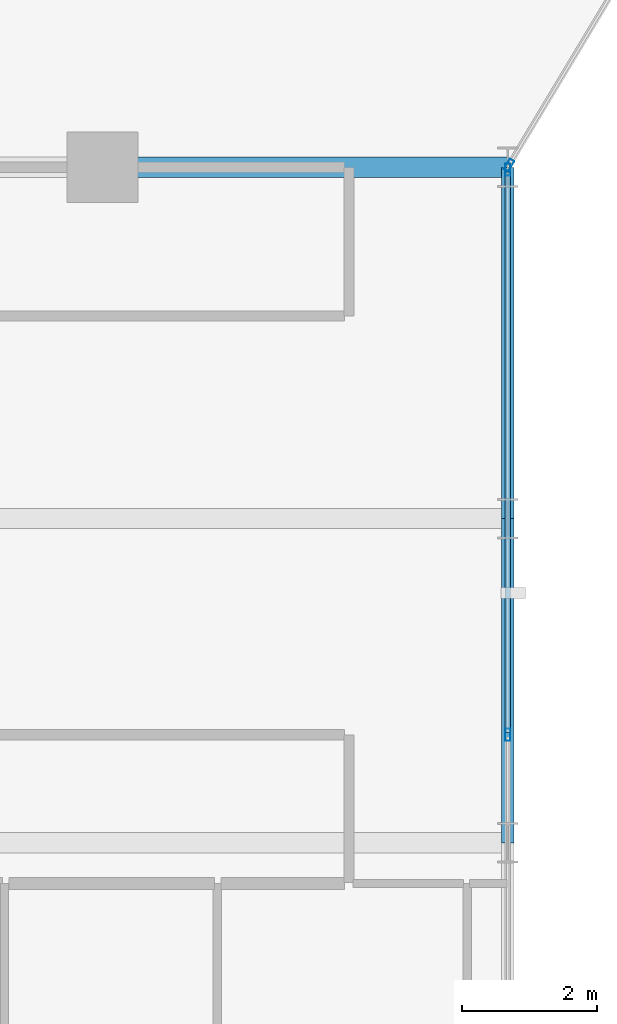
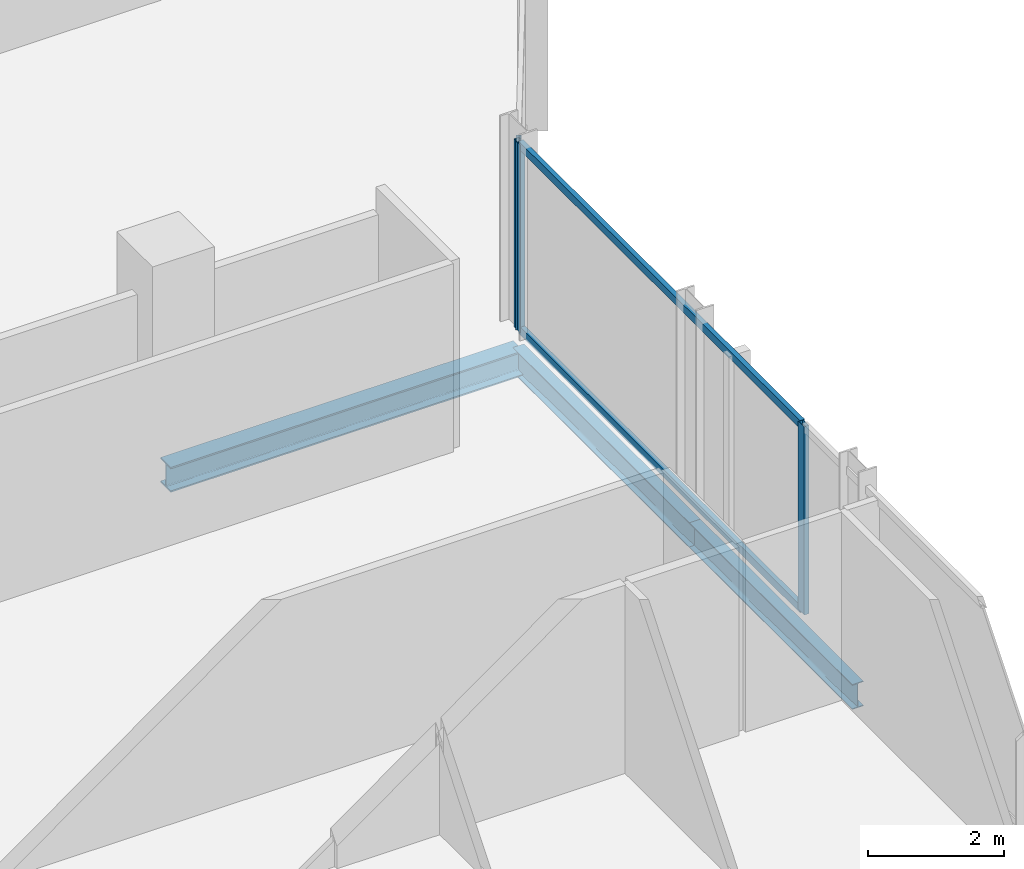
# One storey, part 12 of 29: 5 members, 3 beams, 2 elements without a shape of their own.
"""IFC4 building model written with IfcOpenShell, lengths in metres."""

import ifcopenshell
import ifcopenshell.guid

model = None  # the IFC model being written
_history = None  # IfcOwnerHistory: only IFC2X3 demands one
_inside = {}  # id of a spatial element -> (the spatial element, [elements in it])
_under = {}  # id of a project, library or spatial element -> (it, [spatial elements below it])
_declared = {}  # id of a project -> (the project, [libraries it declares])
_typed = {}  # id of a type object -> (the type object, [elements of that type])
_made_of = {}  # id of a material, layer set ... -> (it, [elements and type objects made of it])


def new_model(schema):
    """Start an empty IFC model of exactly this schema.

    Asked for "IFC4X3", IfcOpenShell would pick the latest addendum, in which some entities
    have other attributes; the version numbers below select the first issue.
    IFC2X3 requires an IfcOwnerHistory on every rooted entity: one is made here for all.
    """
    global model, _history
    if schema == "IFC4X3":
        model = ifcopenshell.file(schema_version=(4, 3, 0, 0))
    else:
        model = ifcopenshell.file(schema=schema)
    _inside.clear()
    _under.clear()
    _declared.clear()
    _typed.clear()
    _made_of.clear()
    _history = None
    if model.schema == "IFC2X3":
        org = make("IfcOrganization", Name="unknown")
        user = make(
            "IfcPersonAndOrganization",
            ThePerson=make("IfcPerson", FamilyName="unknown"),
            TheOrganization=org,
        )
        app = make(
            "IfcApplication",
            ApplicationDeveloper=org,
            Version="unknown",
            ApplicationFullName="unknown",
            ApplicationIdentifier="unknown",
        )
        _history = make(
            "IfcOwnerHistory",
            OwningUser=user,
            OwningApplication=app,
            ChangeAction="ADDED",
            CreationDate=0,
        )
    return model


def make(cls, **values):
    """One entity of the class cls with the attributes given. An attribute that is None is left unset."""
    return model.create_entity(
        cls, **{name: value for name, value in values.items() if value is not None}
    )


def rooted(cls, **values):
    """An entity with a GlobalId (a new one), such as an element, a storey or a relation."""
    return make(cls, GlobalId=ifcopenshell.guid.new(), OwnerHistory=_history, **values)


def si_unit(unit_type, name, prefix=None):
    """IfcSIUnit, for example si_unit("LENGTHUNIT", "METRE", prefix="MILLI")."""
    return make("IfcSIUnit", UnitType=unit_type, Prefix=prefix, Name=name)


def assignment(units):
    """IfcUnitAssignment: the units of a project."""
    return None if units is None else make("IfcUnitAssignment", Units=units)


def point(xyz):
    """IfcCartesianPoint."""
    return None if xyz is None else make("IfcCartesianPoint", Coordinates=xyz)


def direction(xyz):
    """IfcDirection."""
    return None if xyz is None else make("IfcDirection", DirectionRatios=xyz)


def frame(location, z_axis=None, x_axis=None):
    """IfcAxis2Placement3D, a coordinate frame: its origin and axes. An axis left out is left unset."""
    return make(
        "IfcAxis2Placement3D",
        Location=point(location),
        Axis=direction(z_axis),
        RefDirection=direction(x_axis),
    )


def frame_2d(location, x_axis=None):
    """IfcAxis2Placement2D, a coordinate frame in the plane: its origin and x axis."""
    return make(
        "IfcAxis2Placement2D", Location=point(location), RefDirection=direction(x_axis)
    )


def origin():
    """The frame at (0, 0, 0) with its axes left unset."""
    return frame((0.0, 0.0, 0.0))


def origin_2d():
    """The frame at (0, 0) in the plane with its x axis left unset."""
    return frame_2d((0.0, 0.0))


def place(relative_to, where):
    """IfcLocalPlacement: puts the frame where relative to a parent placement (None: the world)."""
    return make(
        "IfcLocalPlacement", PlacementRelTo=relative_to, RelativePlacement=where
    )


def context(
    kind, dimensions, precision=None, world=None, true_north=None, identifier=None
):
    """IfcGeometricRepresentationContext, for example the 3D "Model" context."""
    return make(
        "IfcGeometricRepresentationContext",
        ContextIdentifier=identifier,
        ContextType=kind,
        CoordinateSpaceDimension=dimensions,
        Precision=precision,
        WorldCoordinateSystem=world,
        TrueNorth=true_north,
    )


def subcontext(parent, identifier, kind, view, scale=None):
    """IfcGeometricRepresentationSubContext, for example "Body" below "Model"."""
    return make(
        "IfcGeometricRepresentationSubContext",
        ContextIdentifier=identifier,
        ContextType=kind,
        ParentContext=parent,
        TargetScale=scale,
        TargetView=view,
    )


def project(units=None, contexts=None):
    """IfcProject with its units and contexts."""
    return rooted(
        "IfcProject",
        Name="project",
        RepresentationContexts=contexts,
        UnitsInContext=assignment(units),
    )


def spatial(cls, under=None, at=None, **own):
    """A site, building, storey or space (cls), placed at a placement, below another one or the project."""
    s = rooted(cls, ObjectPlacement=at, **own)
    if under is not None:
        _under.setdefault(under.id(), (under, []))[1].append(s)
    return s


def profile(cls, at=None, kind="AREA", **sizes):
    """A parametric profile (cls). Its sizes go by their IFC names, for example OverallWidth=200.0."""
    return make(cls, ProfileType=kind, Position=at, **sizes)


def hollow_rectangle(**sizes):
    """IfcRectangleHollowProfileDef."""
    return profile("IfcRectangleHollowProfileDef", **sizes)


def i_section(**sizes):
    """IfcIShapeProfileDef."""
    return profile("IfcIShapeProfileDef", **sizes)


def extrude(swept, where, along, depth):
    """IfcExtrudedAreaSolid: the profile swept, set in the frame where, extruded along a direction by depth."""
    return make(
        "IfcExtrudedAreaSolid",
        SweptArea=swept,
        Position=where,
        ExtrudedDirection=direction(along),
        Depth=depth,
    )


def shape(context_of_items, identifier, shape_type, items):
    """IfcShapeRepresentation: the items that make up one representation, for example the "Body"."""
    return make(
        "IfcShapeRepresentation",
        ContextOfItems=context_of_items,
        RepresentationIdentifier=identifier,
        RepresentationType=shape_type,
        Items=items,
    )


def material(Name=None, Category=None):
    """IfcMaterial."""
    return make("IfcMaterial", Name=Name, Category=Category)


def layer(
    of_material, thickness, ventilated=None, Name=None, Category=None, Priority=None
):
    """IfcMaterialLayer: one layer of a wall or slab, of a material (None: an air gap)."""
    return make(
        "IfcMaterialLayer",
        Material=of_material,
        LayerThickness=thickness,
        IsVentilated=ventilated,
        Name=Name,
        Category=Category,
        Priority=Priority,
    )


def layer_set(layers, Name=None):
    """IfcMaterialLayerSet."""
    return make("IfcMaterialLayerSet", MaterialLayers=layers, LayerSetName=Name)


def material_profile(
    of_material, cross_section, Name=None, Category=None, Priority=None
):
    """IfcMaterialProfile: a cross section and its material."""
    return make(
        "IfcMaterialProfile",
        Name=Name,
        Material=of_material,
        Profile=cross_section,
        Priority=Priority,
        Category=Category,
    )


def profile_set(profiles, Name=None, composite=None):
    """IfcMaterialProfileSet."""
    return make(
        "IfcMaterialProfileSet",
        Name=Name,
        MaterialProfiles=profiles,
        CompositeProfile=composite,
    )


def made_of(thing, what):
    """Note that an element or type object is made of a material, layer set ...; save() writes the relation."""
    if what is not None:
        _made_of.setdefault(what.id(), (what, []))[1].append(thing)
    return thing


def type_object(cls, material=None, **own):
    """A type object (cls), such as IfcWallType, which elements share."""
    return made_of(rooted(cls, **own), material)


def element(
    cls,
    number,
    at=None,
    inside=None,
    cuts=None,
    type_object=None,
    material=None,
    context=None,
    identifier="Body",
    shape_type=None,
    held_by="IfcProductDefinitionShape",
    body=None,
    shapes=None,
    **own,
):
    """One element of the class cls, such as IfcWall. Its Tag is "e" and its number.

    at: its placement. inside: the storey or other place that contains it. cuts: it is an
    opening in that element (IfcRelVoidsElement). A single representation is given by context,
    identifier, shape_type and body (its items); several are given by shapes. held_by: the class
    of the entity that holds the representations. save() writes the other relations.
    """
    e = rooted(cls, Tag="e%d" % number, ObjectPlacement=at, **own)
    if body is not None:
        shapes = [shape(context, identifier, shape_type, body)]
    if shapes is not None:
        e.Representation = make(held_by, Representations=shapes)
    if inside is not None:
        _inside.setdefault(inside.id(), (inside, []))[1].append(e)
    if cuts is not None:
        rooted(
            "IfcRelVoidsElement", RelatingBuildingElement=cuts, RelatedOpeningElement=e
        )
    if type_object is not None:
        _typed.setdefault(type_object.id(), (type_object, []))[1].append(e)
    return made_of(e, material)


def aggregate(whole, parts):
    """IfcRelAggregates: a whole, such as a stair, and the parts it consists of."""
    return rooted("IfcRelAggregates", RelatingObject=whole, RelatedObjects=parts)


def save(model, path):
    """Write the relations noted so far, then the file.

    IfcRelAggregates (storeys below a building ...), IfcRelContainedInSpatialStructure (elements
    in a storey), IfcRelDefinesByType, IfcRelAssociatesMaterial and IfcRelDeclares: one each for
    every whole, place, type object, material and project.
    """
    for whole, parts in _under.values():
        aggregate(whole, parts)
    for where, things in _inside.values():
        rooted(
            "IfcRelContainedInSpatialStructure",
            RelatedElements=things,
            RelatingStructure=where,
        )
    for kind, things in _typed.values():
        rooted("IfcRelDefinesByType", RelatedObjects=things, RelatingType=kind)
    for what, things in _made_of.values():
        rooted("IfcRelAssociatesMaterial", RelatedObjects=things, RelatingMaterial=what)
    for by, libraries in _declared.values():
        rooted("IfcRelDeclares", RelatingContext=by, RelatedDefinitions=libraries)
    model.write(path)


model = new_model("IFC4")

# Units and contexts
model_context = context("Model", 3, precision=1e-05, world=origin(), true_north=direction((0.0, 1.0)))
body_context = subcontext(model_context, "Body", "Model", "MODEL_VIEW")
ifc_project = project(units=[si_unit("LENGTHUNIT", "METRE"), si_unit("AREAUNIT", "SQUARE_METRE"), si_unit("VOLUMEUNIT", "CUBIC_METRE"), si_unit("PLANEANGLEUNIT", "RADIAN"), si_unit("MASSUNIT", "GRAM", prefix="KILO")], contexts=[model_context])

# Site, building, storey
site_placement = place(None, origin())
site = spatial("IfcSite", under=ifc_project, at=site_placement, CompositionType="ELEMENT")
building_placement = place(site_placement, origin())
building = spatial("IfcBuilding", under=site, at=building_placement, Name="Keshet Zoharim Tower", CompositionType="ELEMENT")
storey_placement = place(building_placement, frame((0.0, 0.0, 102.0)))
storey = spatial("IfcBuildingStorey", under=building, at=storey_placement, Name="L24", CompositionType="ELEMENT", Elevation=102.0)

# Beams
ifc_material_1 = material(Name="Steel S355", Category="steel")
ifc_material_profile_1 = material_profile(ifc_material_1, i_section(OverallWidth=0.18994140625, OverallDepth=0.449951171875, WebThickness=0.009521484375, FlangeThickness=0.0146484375, FilletRadius=0.02099609375, at=origin_2d()), Name="IPE450")
ifc_profile_set_1 = profile_set([ifc_material_profile_1], Name="Steel S355")
beam_type_1 = type_object("IfcBeamType", Name="BM-PRI-IP450", PredefinedType="BEAM", material=ifc_profile_set_1)
beam_1_placement = place(storey_placement, frame((57.0, 17.89990234375, -0.5400390625), z_axis=(0.0, 1.0, 0.0), x_axis=(-1.0, 0.0, 0.0)))
element("IfcBeam", 1, at=beam_1_placement, inside=storey, type_object=beam_type_1, Name="L24 Primary Girder Y-015", PredefinedType="BEAM", context=body_context, shape_type="SweptSolid", body=[
    extrude(i_section(OverallWidth=0.18994140625, OverallDepth=0.449951171875, WebThickness=0.009521484375, FlangeThickness=0.0146484375, FilletRadius=0.02099609375, at=origin_2d()), origin(), (0.0, 0.0, 1.0), 4.800048828125),
])
beam_2_placement = place(storey_placement, frame((57.0, 22.699951171875, -0.5400390625), z_axis=(0.0, 1.0, 0.0), x_axis=(-1.0, 0.0, 0.0)))
element("IfcBeam", 2, at=beam_2_placement, inside=storey, type_object=beam_type_1, Name="L24 Primary Girder Y-016", PredefinedType="BEAM", context=body_context, shape_type="SweptSolid", body=[
    extrude(i_section(OverallWidth=0.18994140625, OverallDepth=0.449951171875, WebThickness=0.009521484375, FlangeThickness=0.0146484375, FilletRadius=0.02099609375, at=origin_2d()), origin(), (0.0, 0.0, 1.0), 5.199951171875),
])
ifc_material_profile_2 = material_profile(ifc_material_1, i_section(OverallWidth=0.300048828125, OverallDepth=0.449951171875, WebThickness=0.013916015625, FlangeThickness=0.02587890625, FilletRadius=0.027099609375, at=origin_2d()), Name="HEB450")
ifc_profile_set_2 = profile_set([ifc_material_profile_2], Name="Steel S355")
beam_type_2 = type_object("IfcBeamType", Name="BM-WEB-HB450", PredefinedType="BEAM", material=ifc_profile_set_2)
beam_3_placement = place(storey_placement, frame((51.0, 27.89990234375, -0.5400390625), z_axis=(1.0, 0.0, 0.0), x_axis=(0.0, 1.0, 0.0)))
element("IfcBeam", 3, at=beam_3_placement, inside=storey, type_object=beam_type_2, Name="L24 Primary Girder X-017", PredefinedType="BEAM", context=body_context, shape_type="SweptSolid", body=[
    extrude(i_section(OverallWidth=0.300048828125, OverallDepth=0.449951171875, WebThickness=0.013916015625, FlangeThickness=0.02587890625, FilletRadius=0.027099609375, at=origin_2d()), origin(), (0.0, 0.0, 1.0), 6.0),
])

# Curtain wall, member
ifc_material_2 = material(Name="Aluminium 6063-T6", Category="aluminium")
ifc_layer = layer(ifc_material_2, 0.159912109375)
ifc_layer_set = layer_set([ifc_layer], Name="Aluminium 6063-T6")
curtain_wall_type = type_object("IfcCurtainWallType", Name="CW-SYS-03", PredefinedType="NOTDEFINED", material=ifc_layer_set)
curtain_wall_1_placement = place(storey_placement, origin())
curtain_wall_1 = element("IfcCurtainWall", 4, at=curtain_wall_1_placement, inside=storey, type_object=curtain_wall_type, Name="L24 Unitised Curtain Wall 18", PredefinedType="NOTDEFINED")
ifc_material_profile_3 = material_profile(ifc_material_2, hollow_rectangle(XDim=0.080078125, YDim=0.179931640625, WallThickness=0.00439453125, at=origin_2d()), Name="MUL-80x180")
ifc_profile_set_3 = profile_set([ifc_material_profile_3], Name="Aluminium 6063-T6")
member_type_1 = type_object("IfcMemberType", Name="CWM-M18", PredefinedType="MULLION", material=ifc_profile_set_3)
member_1_placement = place(storey_placement, frame((57.01806640625, 27.929931640625, 0.0), z_axis=(0.0, 0.0, 1.0), x_axis=(0.857501477862, -0.514481501576, 0.0)))
member_1 = element("IfcMember", 5, at=member_1_placement, type_object=member_type_1, Name="CW-03 mullion 2", PredefinedType="MULLION", context=body_context, shape_type="SweptSolid", body=[
    extrude(hollow_rectangle(XDim=0.080078125, YDim=0.179931640625, WallThickness=0.00439453125, at=origin_2d()), origin(), (0.0, 0.0, 1.0), 3.385009765625),
])
aggregate(curtain_wall_1, [member_1])

# Curtain wall, members
curtain_wall_2_placement = place(storey_placement, origin())
curtain_wall_2 = element("IfcCurtainWall", 6, at=curtain_wall_2_placement, inside=storey, type_object=curtain_wall_type, Name="L24 Unitised Curtain Wall 19", PredefinedType="NOTDEFINED")
member_2_placement = place(storey_placement, frame((57.0, 27.864990234375, 0.0), z_axis=(0.0, 0.0, 1.0), x_axis=(1.0, 0.0, 0.0)))
member_2 = element("IfcMember", 7, at=member_2_placement, type_object=member_type_1, Name="CW-03 mullion 1", PredefinedType="MULLION", context=body_context, shape_type="SweptSolid", body=[
    extrude(hollow_rectangle(XDim=0.080078125, YDim=0.179931640625, WallThickness=0.00439453125, at=origin_2d()), origin(), (0.0, 0.0, 1.0), 3.385009765625),
])
member_3_placement = place(storey_placement, frame((57.0, 19.5, 0.0), z_axis=(0.0, 0.0, 1.0), x_axis=(1.0, 0.0, 0.0)))
member_3 = element("IfcMember", 8, at=member_3_placement, type_object=member_type_1, Name="CW-03 mullion 2", PredefinedType="MULLION", context=body_context, shape_type="SweptSolid", body=[
    extrude(hollow_rectangle(XDim=0.080078125, YDim=0.179931640625, WallThickness=0.00439453125, at=origin_2d()), origin(), (0.0, 0.0, 1.0), 3.385009765625),
])
ifc_material_profile_4 = material_profile(ifc_material_2, hollow_rectangle(XDim=0.080078125, YDim=0.139892578125, WallThickness=0.00390625, at=origin_2d()), Name="TRN-80x140")
ifc_profile_set_4 = profile_set([ifc_material_profile_4], Name="Aluminium 6063-T6")
member_type_2 = type_object("IfcMemberType", Name="CWT-T14", PredefinedType="USERDEFINED", material=ifc_profile_set_4)
member_4_placement = place(storey_placement, frame((57.0, 27.830078125, 0.034912109375), z_axis=(0.0, -1.0, 0.0), x_axis=(1.0, 0.0, 0.0)))
member_4 = element("IfcMember", 9, at=member_4_placement, type_object=member_type_2, Name="CW-03 transom 1.1", ObjectType="TRANSOM", PredefinedType="USERDEFINED", context=body_context, shape_type="SweptSolid", body=[
    extrude(hollow_rectangle(XDim=0.080078125, YDim=0.139892578125, WallThickness=0.00390625, at=origin_2d()), origin(), (0.0, 0.0, 1.0), 8.295166015625),
])
member_5_placement = place(storey_placement, frame((57.0, 27.830078125, 3.35009765625), z_axis=(0.0, -1.0, 0.0), x_axis=(1.0, 0.0, 0.0)))
member_5 = element("IfcMember", 10, at=member_5_placement, type_object=member_type_2, Name="CW-03 transom 1.2", ObjectType="TRANSOM", PredefinedType="USERDEFINED", context=body_context, shape_type="SweptSolid", body=[
    extrude(hollow_rectangle(XDim=0.080078125, YDim=0.139892578125, WallThickness=0.00390625, at=origin_2d()), origin(), (0.0, 0.0, 1.0), 8.295166015625),
])
aggregate(curtain_wall_2, [member_2, member_3, member_4, member_5])

save(model, "model.ifc")
